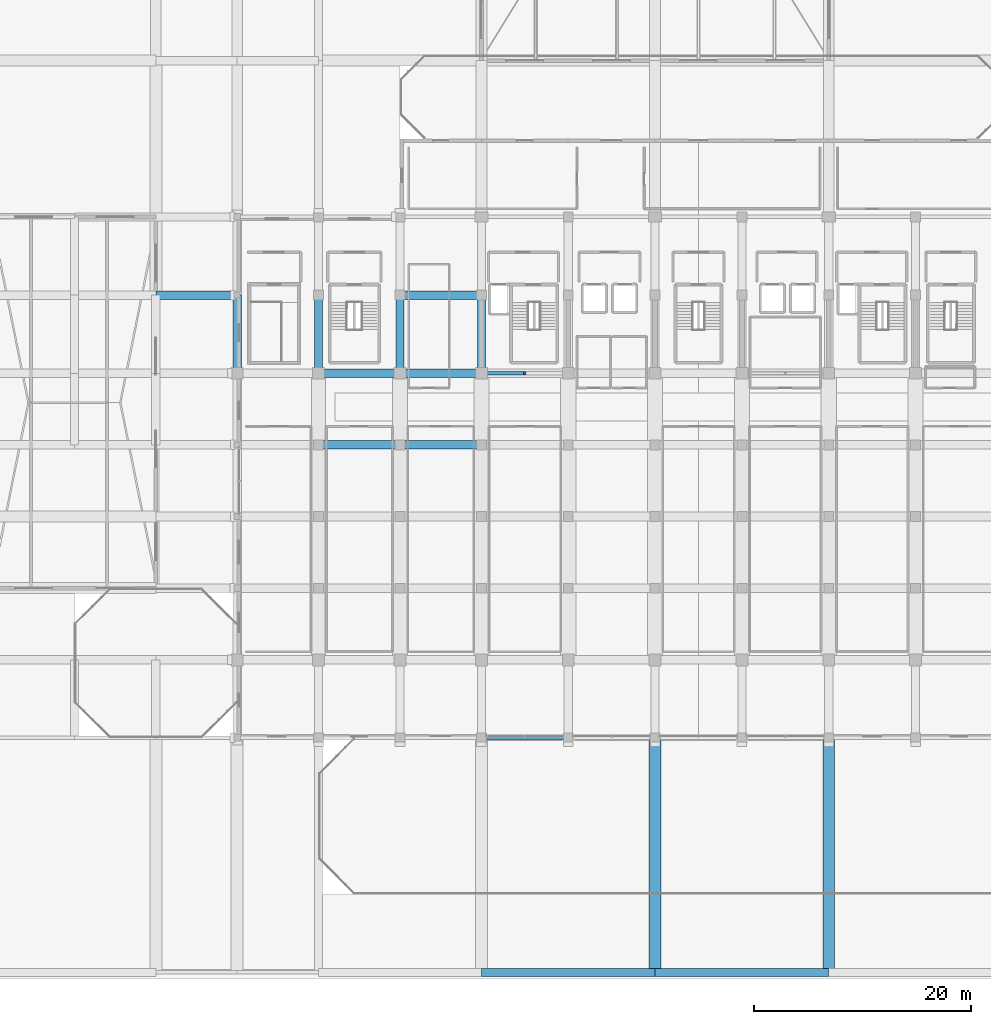
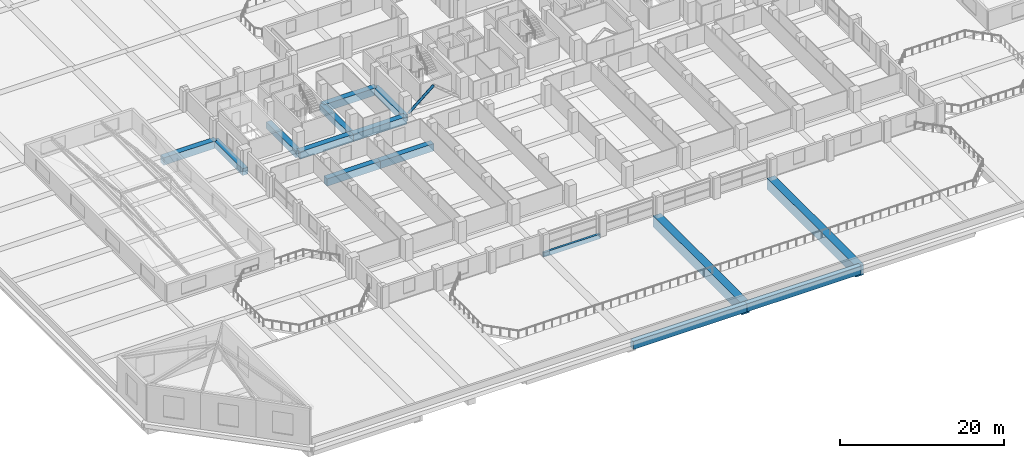
# One storey, part 12 of 49: 15 beams, 1 member.
"""IFC4 building model written with IfcOpenShell, lengths in metres."""

from ifc_helpers import new_model, si_unit, direction, frame, origin, origin_2d, place, context, subcontext, project, spatial, rectangle, hollow_circle, extrude, material, material_profile, profile_set, type_object, element, save


model = new_model("IFC4")

# Units and contexts
model_context = context("Model", 3, precision=1e-05, world=origin(), true_north=direction((0.0, 1.0)))
body_context = subcontext(model_context, "Body", "Model", "MODEL_VIEW")
ifc_project = project(units=[si_unit("LENGTHUNIT", "METRE"), si_unit("AREAUNIT", "SQUARE_METRE"), si_unit("VOLUMEUNIT", "CUBIC_METRE"), si_unit("PLANEANGLEUNIT", "RADIAN"), si_unit("MASSUNIT", "GRAM", prefix="KILO")], contexts=[model_context])

# Site, building, storey
site_placement = place(None, origin())
site = spatial("IfcSite", under=ifc_project, at=site_placement, CompositionType="ELEMENT")
building_placement = place(site_placement, origin())
building = spatial("IfcBuilding", under=site, at=building_placement, Name="Akrevak Sports Hall", CompositionType="ELEMENT")
storey_placement = place(building_placement, frame((0.0, 0.0, 24.14990234375)))
storey = spatial("IfcBuildingStorey", under=building, at=storey_placement, Name="L04", CompositionType="ELEMENT", Elevation=24.14990234375)

# Beams
ifc_material_1 = material(Name="Concrete C50/60", Category="concrete")
ifc_material_profile_1 = material_profile(ifc_material_1, rectangle(XDim=1.10009765625, YDim=1.64990234375, at=origin_2d()), Name="BM 1100x1650", Category="concrete")
ifc_profile_set_1 = profile_set([ifc_material_profile_1], Name="Concrete C50/60")
beam_type_1 = type_object("IfcBeamType", Name="STR-BM-LG1100x1650", PredefinedType="BEAM", material=ifc_profile_set_1)
for number, where, z_axis, x_axis, name in (
    (1, (76.0, 0.0, -0.824951171875), (0.0, 1.0, 0.0), (-1.0, 0.0, 0.0), "Girder 11/A-D (L04)"),
    (2, (92.0, 0.0, -0.824951171875), (0.0, 1.0, 0.0), (-1.0, 0.0, 0.0), "Girder 13/A-D (L04)"),
):
    element("IfcBeam", number, at=place(storey_placement, frame(where, z_axis=z_axis, x_axis=x_axis)), inside=storey, type_object=beam_type_1, Name=name, PredefinedType="BEAM", context=body_context, shape_type="SweptSolid", body=[
        extrude(rectangle(XDim=1.10009765625, YDim=1.64990234375, at=origin_2d()), origin(), (0.0, 0.0, 1.0), 21.60009765625),
    ])
ifc_material_profile_2 = material_profile(ifc_material_1, rectangle(XDim=0.75, YDim=1.0, at=origin_2d()), Name="BM 750x1000", Category="concrete")
ifc_profile_set_2 = profile_set([ifc_material_profile_2], Name="Concrete C50/60")
beam_type_2 = type_object("IfcBeamType", Name="STR-BM-RC750x1000", PredefinedType="BEAM", material=ifc_profile_set_2)
for number, where, z_axis, x_axis, name in (
    (3, (37.5, 55.199951171875, -0.5), (0.0, 1.0, 0.0), (-1.0, 0.0, 0.0), "Girder 6/I-J (L04)"),
    (4, (45.0, 55.199951171875, -0.5), (0.0, 1.0, 0.0), (-1.0, 0.0, 0.0), "Girder 7/I-J (L04)"),
    (5, (52.5, 55.199951171875, -0.5), (0.0, 1.0, 0.0), (-1.0, 0.0, 0.0), "Girder 8/I-J (L04)"),
    (6, (60.0, 55.199951171875, -0.5), (0.0, 1.0, 0.0), (-1.0, 0.0, 0.0), "Girder 9/I-J (L04)"),
):
    element("IfcBeam", number, at=place(storey_placement, frame(where, z_axis=z_axis, x_axis=x_axis)), inside=storey, type_object=beam_type_2, Name=name, PredefinedType="BEAM", context=body_context, shape_type="SweptSolid", body=[
        extrude(rectangle(XDim=0.75, YDim=1.0, at=origin_2d()), origin(), (0.0, 0.0, 1.0), 7.199951171875),
    ])
ifc_material_profile_3 = material_profile(ifc_material_1, rectangle(XDim=0.800048828125, YDim=1.10009765625, at=origin_2d()), Name="BM 800x1100", Category="concrete")
ifc_profile_set_3 = profile_set([ifc_material_profile_3], Name="Concrete C50/60")
beam_type_3 = type_object("IfcBeamType", Name="STR-BM-RC800x1100", PredefinedType="BEAM", material=ifc_profile_set_3)
for number, where, z_axis, x_axis, name in (
    (7, (45.0, 48.60009765625, -0.5498046875), (1.0, 0.0, 0.0), (0.0, 1.0, 0.0), "Girder H/7-8 (L04)"),
    (8, (52.5, 48.60009765625, -0.5498046875), (1.0, 0.0, 0.0), (0.0, 1.0, 0.0), "Girder H/8-9 (L04)"),
    (9, (45.0, 55.199951171875, -0.5498046875), (1.0, 0.0, 0.0), (0.0, 1.0, 0.0), "Girder I/7-8 (L04)"),
    (10, (52.5, 55.199951171875, -0.5498046875), (1.0, 0.0, 0.0), (0.0, 1.0, 0.0), "Girder I/8-9 (L04)"),
    (11, (30.0, 62.39990234375, -0.5498046875), (1.0, 0.0, 0.0), (0.0, 1.0, 0.0), "Girder J/5-6 (L04)"),
    (12, (52.5, 62.39990234375, -0.5498046875), (1.0, 0.0, 0.0), (0.0, 1.0, 0.0), "Girder J/8-9 (L04)"),
):
    element("IfcBeam", number, at=place(storey_placement, frame(where, z_axis=z_axis, x_axis=x_axis)), inside=storey, type_object=beam_type_3, Name=name, PredefinedType="BEAM", context=body_context, shape_type="SweptSolid", body=[
        extrude(rectangle(XDim=0.800048828125, YDim=1.10009765625, at=origin_2d()), origin(), (0.0, 0.0, 1.0), 7.5),
    ])

# Member
ifc_material_2 = material(Name="Steel S355", Category="steel")
ifc_material_profile_4 = material_profile(ifc_material_2, hollow_circle(Radius=0.177734375, WallThickness=0.01611328125, at=origin_2d()), Name="CHS 355.6x16", Category="steel")
ifc_profile_set_4 = profile_set([ifc_material_profile_4], Name="Steel S355")
member_type = type_object("IfcMemberType", Name="STR-MEM-BRACE-CHS355", PredefinedType="BRACE", material=ifc_profile_set_4)
member_placement = place(storey_placement, frame((60.449951171875, 55.199951171875, 0.10009765625), z_axis=(0.770184357505, 0.0, 0.637821335058), x_axis=(0.0, 1.0, 0.0)))
element("IfcMember", 13, at=member_placement, inside=storey, type_object=member_type, Name="Tower Chevron Steel Brace L04-1A", PredefinedType="BRACE", context=body_context, shape_type="SweptSolid", body=[
    extrude(hollow_circle(Radius=0.177734375, WallThickness=0.01611328125, at=origin_2d()), origin(), (0.0, 0.0, 1.0), 4.609375),
])

# Beams
ifc_material_profile_5 = material_profile(ifc_material_1, rectangle(XDim=0.75, YDim=1.14990234375, at=origin_2d()), Name="SPD 750x1150", Category="concrete")
ifc_profile_set_5 = profile_set([ifc_material_profile_5], Name="Concrete C50/60")
beam_type_4 = type_object("IfcBeamType", Name="STR-SPD-LSP750x1150", PredefinedType="SPANDREL", material=ifc_profile_set_5)
for number, where, z_axis, x_axis, name in (
    (14, (60.0, 0.0, -0.574951171875), (1.0, 0.0, 0.0), (0.0, 1.0, 0.0), "Girder A/9-11 (L04)"),
    (15, (76.0, 0.0, -0.574951171875), (1.0, 0.0, 0.0), (0.0, 1.0, 0.0), "Girder A/11-13 (L04)"),
):
    element("IfcBeam", number, at=place(storey_placement, frame(where, z_axis=z_axis, x_axis=x_axis)), inside=storey, type_object=beam_type_4, Name=name, PredefinedType="SPANDREL", context=body_context, shape_type="SweptSolid", body=[
        extrude(rectangle(XDim=0.75, YDim=1.14990234375, at=origin_2d()), origin(), (0.0, 0.0, 1.0), 16.0),
    ])
ifc_material_3 = material(Name="Concrete C40/50", Category="concrete")
ifc_material_profile_6 = material_profile(ifc_material_3, rectangle(XDim=0.320068359375, YDim=0.679931640625, at=origin_2d()), Name="SPD 320x680", Category="concrete")
ifc_profile_set_6 = profile_set([ifc_material_profile_6], Name="Concrete C40/50")
beam_type_5 = type_object("IfcBeamType", Name="STR-SPD-RC320x680", PredefinedType="SPANDREL", material=ifc_profile_set_6)
beam_placement = place(storey_placement, frame((60.0, 21.60009765625, -0.33984375), z_axis=(1.0, 0.0, 0.0), x_axis=(0.0, 1.0, 0.0)))
element("IfcBeam", 16, at=beam_placement, inside=storey, type_object=beam_type_5, Name="Girder D/9-10 (L04)", PredefinedType="SPANDREL", context=body_context, shape_type="SweptSolid", body=[
    extrude(rectangle(XDim=0.320068359375, YDim=0.679931640625, at=origin_2d()), origin(), (0.0, 0.0, 1.0), 8.0),
])

save(model, "model.ifc")
